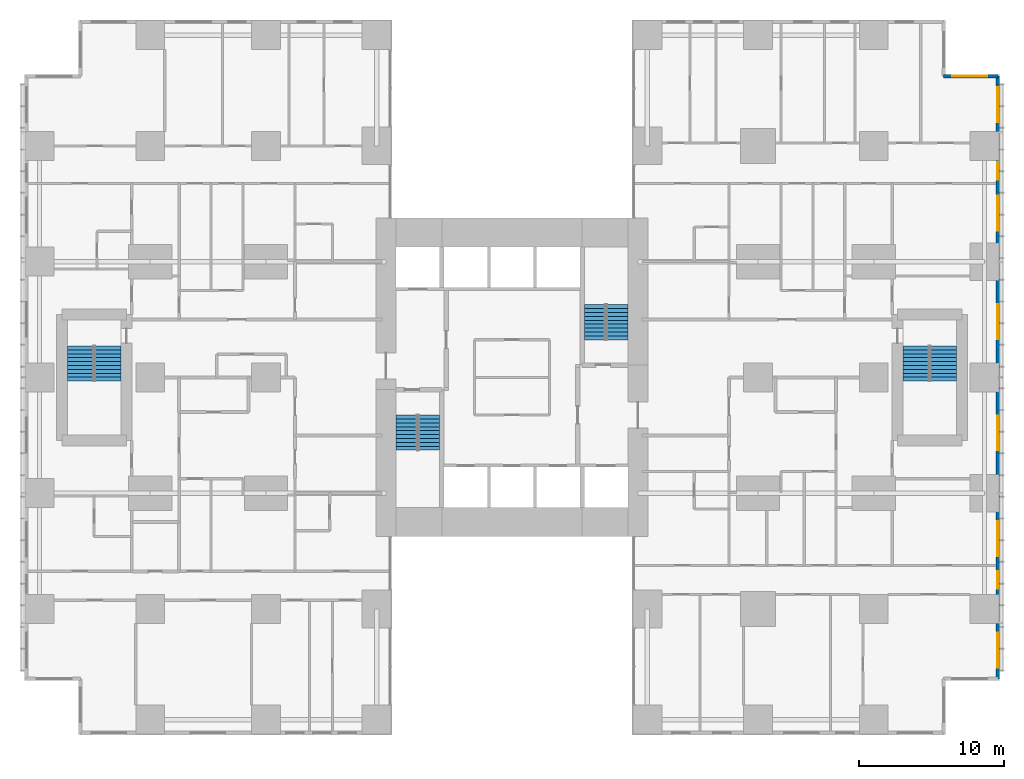
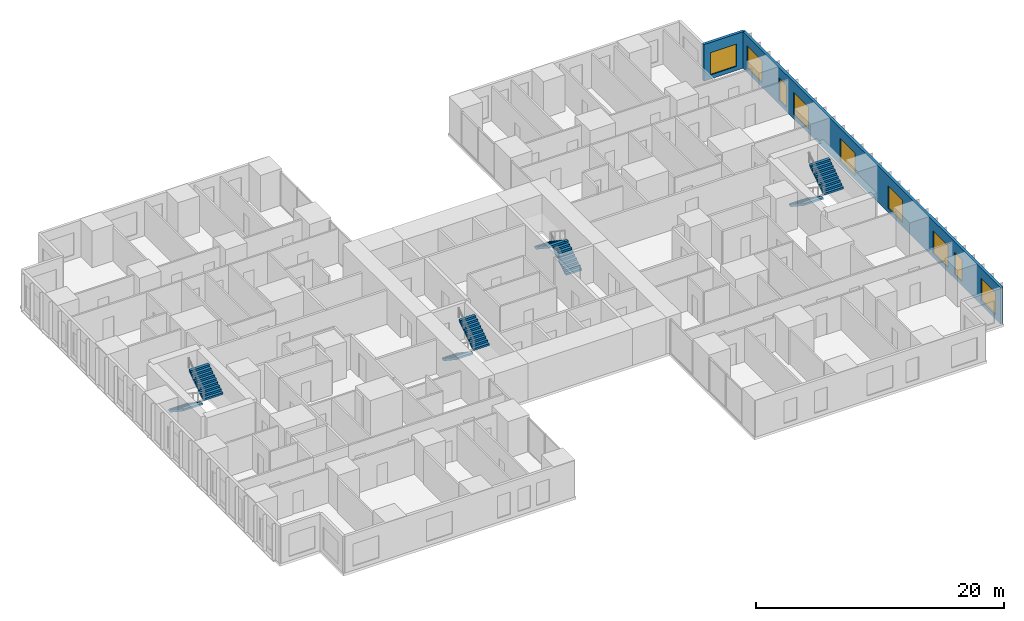
# One storey, part 19 of 20: 9 windows, 8 stair flights, 2 walls, 9 openings, 4 elements without a shape of their own.
"""IFC4 building model written with IfcOpenShell, lengths in metres."""

import ifcopenshell
import ifcopenshell.guid

model = None  # the IFC model being written
_history = None  # IfcOwnerHistory: only IFC2X3 demands one
_inside = {}  # id of a spatial element -> (the spatial element, [elements in it])
_under = {}  # id of a project, library or spatial element -> (it, [spatial elements below it])
_declared = {}  # id of a project -> (the project, [libraries it declares])
_typed = {}  # id of a type object -> (the type object, [elements of that type])
_made_of = {}  # id of a material, layer set ... -> (it, [elements and type objects made of it])


def new_model(schema):
    """Start an empty IFC model of exactly this schema.

    Asked for "IFC4X3", IfcOpenShell would pick the latest addendum, in which some entities
    have other attributes; the version numbers below select the first issue.
    IFC2X3 requires an IfcOwnerHistory on every rooted entity: one is made here for all.
    """
    global model, _history
    if schema == "IFC4X3":
        model = ifcopenshell.file(schema_version=(4, 3, 0, 0))
    else:
        model = ifcopenshell.file(schema=schema)
    _inside.clear()
    _under.clear()
    _declared.clear()
    _typed.clear()
    _made_of.clear()
    _history = None
    if model.schema == "IFC2X3":
        org = make("IfcOrganization", Name="unknown")
        user = make(
            "IfcPersonAndOrganization",
            ThePerson=make("IfcPerson", FamilyName="unknown"),
            TheOrganization=org,
        )
        app = make(
            "IfcApplication",
            ApplicationDeveloper=org,
            Version="unknown",
            ApplicationFullName="unknown",
            ApplicationIdentifier="unknown",
        )
        _history = make(
            "IfcOwnerHistory",
            OwningUser=user,
            OwningApplication=app,
            ChangeAction="ADDED",
            CreationDate=0,
        )
    return model


def make(cls, **values):
    """One entity of the class cls with the attributes given. An attribute that is None is left unset."""
    return model.create_entity(
        cls, **{name: value for name, value in values.items() if value is not None}
    )


def rooted(cls, **values):
    """An entity with a GlobalId (a new one), such as an element, a storey or a relation."""
    return make(cls, GlobalId=ifcopenshell.guid.new(), OwnerHistory=_history, **values)


def si_unit(unit_type, name, prefix=None):
    """IfcSIUnit, for example si_unit("LENGTHUNIT", "METRE", prefix="MILLI")."""
    return make("IfcSIUnit", UnitType=unit_type, Prefix=prefix, Name=name)


def assignment(units):
    """IfcUnitAssignment: the units of a project."""
    return None if units is None else make("IfcUnitAssignment", Units=units)


def point(xyz):
    """IfcCartesianPoint."""
    return None if xyz is None else make("IfcCartesianPoint", Coordinates=xyz)


def direction(xyz):
    """IfcDirection."""
    return None if xyz is None else make("IfcDirection", DirectionRatios=xyz)


def frame(location, z_axis=None, x_axis=None):
    """IfcAxis2Placement3D, a coordinate frame: its origin and axes. An axis left out is left unset."""
    return make(
        "IfcAxis2Placement3D",
        Location=point(location),
        Axis=direction(z_axis),
        RefDirection=direction(x_axis),
    )


def frame_2d(location, x_axis=None):
    """IfcAxis2Placement2D, a coordinate frame in the plane: its origin and x axis."""
    return make(
        "IfcAxis2Placement2D", Location=point(location), RefDirection=direction(x_axis)
    )


def origin():
    """The frame at (0, 0, 0) with its axes left unset."""
    return frame((0.0, 0.0, 0.0))


def place(relative_to, where):
    """IfcLocalPlacement: puts the frame where relative to a parent placement (None: the world)."""
    return make(
        "IfcLocalPlacement", PlacementRelTo=relative_to, RelativePlacement=where
    )


def context(
    kind, dimensions, precision=None, world=None, true_north=None, identifier=None
):
    """IfcGeometricRepresentationContext, for example the 3D "Model" context."""
    return make(
        "IfcGeometricRepresentationContext",
        ContextIdentifier=identifier,
        ContextType=kind,
        CoordinateSpaceDimension=dimensions,
        Precision=precision,
        WorldCoordinateSystem=world,
        TrueNorth=true_north,
    )


def subcontext(parent, identifier, kind, view, scale=None):
    """IfcGeometricRepresentationSubContext, for example "Body" below "Model"."""
    return make(
        "IfcGeometricRepresentationSubContext",
        ContextIdentifier=identifier,
        ContextType=kind,
        ParentContext=parent,
        TargetScale=scale,
        TargetView=view,
    )


def project(units=None, contexts=None):
    """IfcProject with its units and contexts."""
    return rooted(
        "IfcProject",
        Name="project",
        RepresentationContexts=contexts,
        UnitsInContext=assignment(units),
    )


def spatial(cls, under=None, at=None, **own):
    """A site, building, storey or space (cls), placed at a placement, below another one or the project."""
    s = rooted(cls, ObjectPlacement=at, **own)
    if under is not None:
        _under.setdefault(under.id(), (under, []))[1].append(s)
    return s


def polyline(points):
    """IfcPolyline through the points."""
    return make("IfcPolyline", Points=[point(p) for p in points])


def profile(cls, at=None, kind="AREA", **sizes):
    """A parametric profile (cls). Its sizes go by their IFC names, for example OverallWidth=200.0."""
    return make(cls, ProfileType=kind, Position=at, **sizes)


def rectangle(**sizes):
    """IfcRectangleProfileDef."""
    return profile("IfcRectangleProfileDef", **sizes)


def outline(outer, holes=None, kind="AREA"):
    """IfcArbitraryClosedProfileDef: a profile drawn as a closed curve; with holes, ...WithVoids."""
    if holes is None:
        return make("IfcArbitraryClosedProfileDef", ProfileType=kind, OuterCurve=outer)
    return make(
        "IfcArbitraryProfileDefWithVoids",
        ProfileType=kind,
        OuterCurve=outer,
        InnerCurves=holes,
    )


def extrude(swept, where, along, depth):
    """IfcExtrudedAreaSolid: the profile swept, set in the frame where, extruded along a direction by depth."""
    return make(
        "IfcExtrudedAreaSolid",
        SweptArea=swept,
        Position=where,
        ExtrudedDirection=direction(along),
        Depth=depth,
    )


def shape(context_of_items, identifier, shape_type, items):
    """IfcShapeRepresentation: the items that make up one representation, for example the "Body"."""
    return make(
        "IfcShapeRepresentation",
        ContextOfItems=context_of_items,
        RepresentationIdentifier=identifier,
        RepresentationType=shape_type,
        Items=items,
    )


def material(Name=None, Category=None):
    """IfcMaterial."""
    return make("IfcMaterial", Name=Name, Category=Category)


def layer(
    of_material, thickness, ventilated=None, Name=None, Category=None, Priority=None
):
    """IfcMaterialLayer: one layer of a wall or slab, of a material (None: an air gap)."""
    return make(
        "IfcMaterialLayer",
        Material=of_material,
        LayerThickness=thickness,
        IsVentilated=ventilated,
        Name=Name,
        Category=Category,
        Priority=Priority,
    )


def layer_set(layers, Name=None):
    """IfcMaterialLayerSet."""
    return make("IfcMaterialLayerSet", MaterialLayers=layers, LayerSetName=Name)


def made_of(thing, what):
    """Note that an element or type object is made of a material, layer set ...; save() writes the relation."""
    if what is not None:
        _made_of.setdefault(what.id(), (what, []))[1].append(thing)
    return thing


def type_object(cls, material=None, **own):
    """A type object (cls), such as IfcWallType, which elements share."""
    return made_of(rooted(cls, **own), material)


def element(
    cls,
    number,
    at=None,
    inside=None,
    cuts=None,
    type_object=None,
    material=None,
    context=None,
    identifier="Body",
    shape_type=None,
    held_by="IfcProductDefinitionShape",
    body=None,
    shapes=None,
    **own,
):
    """One element of the class cls, such as IfcWall. Its Tag is "e" and its number.

    at: its placement. inside: the storey or other place that contains it. cuts: it is an
    opening in that element (IfcRelVoidsElement). A single representation is given by context,
    identifier, shape_type and body (its items); several are given by shapes. held_by: the class
    of the entity that holds the representations. save() writes the other relations.
    """
    e = rooted(cls, Tag="e%d" % number, ObjectPlacement=at, **own)
    if body is not None:
        shapes = [shape(context, identifier, shape_type, body)]
    if shapes is not None:
        e.Representation = make(held_by, Representations=shapes)
    if inside is not None:
        _inside.setdefault(inside.id(), (inside, []))[1].append(e)
    if cuts is not None:
        rooted(
            "IfcRelVoidsElement", RelatingBuildingElement=cuts, RelatedOpeningElement=e
        )
    if type_object is not None:
        _typed.setdefault(type_object.id(), (type_object, []))[1].append(e)
    return made_of(e, material)


def fill(opening, filler):
    """IfcRelFillsElement: the door or window that sits in an opening."""
    return rooted(
        "IfcRelFillsElement",
        RelatingOpeningElement=opening,
        RelatedBuildingElement=filler,
    )


def aggregate(whole, parts):
    """IfcRelAggregates: a whole, such as a stair, and the parts it consists of."""
    return rooted("IfcRelAggregates", RelatingObject=whole, RelatedObjects=parts)


def save(model, path):
    """Write the relations noted so far, then the file.

    IfcRelAggregates (storeys below a building ...), IfcRelContainedInSpatialStructure (elements
    in a storey), IfcRelDefinesByType, IfcRelAssociatesMaterial and IfcRelDeclares: one each for
    every whole, place, type object, material and project.
    """
    for whole, parts in _under.values():
        aggregate(whole, parts)
    for where, things in _inside.values():
        rooted(
            "IfcRelContainedInSpatialStructure",
            RelatedElements=things,
            RelatingStructure=where,
        )
    for kind, things in _typed.values():
        rooted("IfcRelDefinesByType", RelatedObjects=things, RelatingType=kind)
    for what, things in _made_of.values():
        rooted("IfcRelAssociatesMaterial", RelatedObjects=things, RelatingMaterial=what)
    for by, libraries in _declared.values():
        rooted("IfcRelDeclares", RelatingContext=by, RelatedDefinitions=libraries)
    model.write(path)


model = new_model("IFC4")

# Units and contexts
model_context = context("Model", 3, precision=1e-05, world=origin(), true_north=direction((0.0, 1.0)))
body_context = subcontext(model_context, "Body", "Model", "MODEL_VIEW")
ifc_project = project(units=[si_unit("LENGTHUNIT", "METRE"), si_unit("AREAUNIT", "SQUARE_METRE"), si_unit("VOLUMEUNIT", "CUBIC_METRE"), si_unit("PLANEANGLEUNIT", "RADIAN"), si_unit("MASSUNIT", "GRAM", prefix="KILO")], contexts=[model_context])

# Site, building, storey
site_placement = place(None, origin())
site = spatial("IfcSite", under=ifc_project, at=site_placement, CompositionType="ELEMENT")
building_placement = place(site_placement, origin())
building = spatial("IfcBuilding", under=site, at=building_placement, Name="Cleftline Residences", CompositionType="ELEMENT")
storey_placement = place(building_placement, frame((0.0, 0.0, 157.39990234375)))
storey = spatial("IfcBuildingStorey", under=building, at=storey_placement, Name="L41", CompositionType="ELEMENT", Elevation=157.39990234375)

# Wall, openings, windows
ifc_material_1 = material(Name="Rendered reinforced concrete blockwork", Category="masonry")
ifc_layer = layer(ifc_material_1, 0.25)
ifc_layer_set = layer_set([ifc_layer], Name="EXTERNAL WALL 250")
wall_type = type_object("IfcWallType", Name="EXTERNAL WALL 250", PredefinedType="SOLIDWALL", material=ifc_layer_set)
wall_1_placement = place(storey_placement, frame((66.574951171875, 3.175048828125, 0.0), z_axis=(0.0, 0.0, 1.0), x_axis=(0.0, 1.0, 0.0)))
wall_1 = element("IfcWall", 1, at=wall_1_placement, inside=storey, type_object=wall_type, Name="External wall", PredefinedType="SOLIDWALL", context=body_context, shape_type="SweptSolid", body=[
    extrude(rectangle(XDim=41.64990234375, YDim=0.25, at=frame_2d((20.824951171875, 0.0))), origin(), (0.0, 0.0, 1.0), 3.60009765625),
])
opening_1_placement = place(wall_1_placement, frame((0.77490234375, 0.0, 0.39990234375)))
opening_1 = element("IfcOpeningElement", 2, at=opening_1_placement, cuts=wall_1, Name="Opening W12", PredefinedType="OPENING", context=body_context, shape_type="SweptSolid", body=[
    extrude(rectangle(XDim=2.39990234375, YDim=2.199951171875, at=frame_2d((1.199951171875, 1.10009765625))), frame((0.0, 0.135009765625, 0.0), z_axis=(0.0, -1.0, 0.0), x_axis=(1.0, 0.0, 0.0)), (0.0, 0.0, 1.0), 0.27001953125),
])
opening_2_placement = place(wall_1_placement, frame((6.22509765625, 0.0, 0.39990234375)))
opening_2 = element("IfcOpeningElement", 3, at=opening_2_placement, cuts=wall_1, Name="Opening W11", PredefinedType="OPENING", context=body_context, shape_type="SweptSolid", body=[
    extrude(rectangle(XDim=1.199951171875, YDim=2.199951171875, at=frame_2d((0.60009765625, 1.10009765625))), frame((0.0, 0.135009765625, 0.0), z_axis=(0.0, -1.0, 0.0), x_axis=(1.0, 0.0, 0.0)), (0.0, 0.0, 1.0), 0.27001953125),
])
opening_3_placement = place(wall_1_placement, frame((8.47509765625, 0.0, 0.39990234375)))
opening_3 = element("IfcOpeningElement", 4, at=opening_3_placement, cuts=wall_1, Name="Opening W12", PredefinedType="OPENING", context=body_context, shape_type="SweptSolid", body=[
    extrude(rectangle(XDim=2.39990234375, YDim=2.199951171875, at=frame_2d((1.199951171875, 1.10009765625))), frame((0.0, 0.135009765625, 0.0), z_axis=(0.0, -1.0, 0.0), x_axis=(1.0, 0.0, 0.0)), (0.0, 0.0, 1.0), 0.27001953125),
])
opening_4_placement = place(wall_1_placement, frame((15.77490234375, 0.0, 0.39990234375)))
opening_4 = element("IfcOpeningElement", 5, at=opening_4_placement, cuts=wall_1, Name="Opening W12", PredefinedType="OPENING", context=body_context, shape_type="SweptSolid", body=[
    extrude(rectangle(XDim=2.39990234375, YDim=2.199951171875, at=frame_2d((1.199951171875, 1.10009765625))), frame((0.0, 0.135009765625, 0.0), z_axis=(0.0, -1.0, 0.0), x_axis=(1.0, 0.0, 0.0)), (0.0, 0.0, 1.0), 0.27001953125),
])
opening_5_placement = place(wall_1_placement, frame((23.47509765625, 0.0, 0.39990234375)))
opening_5 = element("IfcOpeningElement", 6, at=opening_5_placement, cuts=wall_1, Name="Opening W12", PredefinedType="OPENING", context=body_context, shape_type="SweptSolid", body=[
    extrude(rectangle(XDim=2.39990234375, YDim=2.199951171875, at=frame_2d((1.199951171875, 1.10009765625))), frame((0.0, 0.135009765625, 0.0), z_axis=(0.0, -1.0, 0.0), x_axis=(1.0, 0.0, 0.0)), (0.0, 0.0, 1.0), 0.27001953125),
])
opening_6_placement = place(wall_1_placement, frame((30.97509765625, 0.0, 0.39990234375)))
opening_6 = element("IfcOpeningElement", 7, at=opening_6_placement, cuts=wall_1, Name="Opening W12", PredefinedType="OPENING", context=body_context, shape_type="SweptSolid", body=[
    extrude(rectangle(XDim=2.39990234375, YDim=2.199951171875, at=frame_2d((1.199951171875, 1.10009765625))), frame((0.0, 0.135009765625, 0.0), z_axis=(0.0, -1.0, 0.0), x_axis=(1.0, 0.0, 0.0)), (0.0, 0.0, 1.0), 0.27001953125),
])
opening_7_placement = place(wall_1_placement, frame((34.5, 0.0, 0.39990234375)))
opening_7 = element("IfcOpeningElement", 8, at=opening_7_placement, cuts=wall_1, Name="Opening W11", PredefinedType="OPENING", context=body_context, shape_type="SweptSolid", body=[
    extrude(rectangle(XDim=1.199951171875, YDim=2.199951171875, at=frame_2d((0.60009765625, 1.10009765625))), frame((0.0, 0.135009765625, 0.0), z_axis=(0.0, -1.0, 0.0), x_axis=(1.0, 0.0, 0.0)), (0.0, 0.0, 1.0), 0.27001953125),
])
opening_8_placement = place(wall_1_placement, frame((38.47509765625, 0.0, 0.39990234375)))
opening_8 = element("IfcOpeningElement", 9, at=opening_8_placement, cuts=wall_1, Name="Opening W12", PredefinedType="OPENING", context=body_context, shape_type="SweptSolid", body=[
    extrude(rectangle(XDim=2.39990234375, YDim=2.199951171875, at=frame_2d((1.199951171875, 1.10009765625))), frame((0.0, 0.135009765625, 0.0), z_axis=(0.0, -1.0, 0.0), x_axis=(1.0, 0.0, 0.0)), (0.0, 0.0, 1.0), 0.27001953125),
])
ifc_material_2 = material(Name="Aluminium frame, clear double glazing", Category="aluminium")
window_type_1 = type_object("IfcWindowType", Name="WINDOW 1200X2200", PartitioningType="DOUBLE_PANEL_VERTICAL", PredefinedType="WINDOW", material=ifc_material_2)
window_1_placement = place(opening_2_placement, origin())
window_1 = element("IfcWindow", 10, at=window_1_placement, inside=storey, type_object=window_type_1, Name="Window", OverallHeight=2.199951171875, OverallWidth=1.199951171875, PartitioningType="SINGLE_PANEL", PredefinedType="WINDOW", context=body_context, shape_type="SweptSolid", body=[
    extrude(rectangle(XDim=1.199951171875, YDim=2.199951171875, at=frame_2d((0.60009765625, 1.10009765625))), frame((0.0, 0.030029296875, 0.0), z_axis=(0.0, -1.0, 0.0), x_axis=(1.0, 0.0, 0.0)), (0.0, 0.0, 1.0), 0.06005859375),
])
fill(opening_2, window_1)
window_2_placement = place(opening_7_placement, origin())
window_2 = element("IfcWindow", 11, at=window_2_placement, inside=storey, type_object=window_type_1, Name="Window", OverallHeight=2.199951171875, OverallWidth=1.199951171875, PartitioningType="SINGLE_PANEL", PredefinedType="WINDOW", context=body_context, shape_type="SweptSolid", body=[
    extrude(rectangle(XDim=1.199951171875, YDim=2.199951171875, at=frame_2d((0.60009765625, 1.10009765625))), frame((0.0, 0.030029296875, 0.0), z_axis=(0.0, -1.0, 0.0), x_axis=(1.0, 0.0, 0.0)), (0.0, 0.0, 1.0), 0.06005859375),
])
fill(opening_7, window_2)
ifc_material_3 = material(Name="Aluminium frame, clear double glazing", Category="aluminium")
window_type_2 = type_object("IfcWindowType", Name="WINDOW 2400X2200", PartitioningType="DOUBLE_PANEL_VERTICAL", PredefinedType="WINDOW", material=ifc_material_3)
window_3_placement = place(opening_1_placement, origin())
window_3 = element("IfcWindow", 12, at=window_3_placement, inside=storey, type_object=window_type_2, Name="Window", OverallHeight=2.199951171875, OverallWidth=2.39990234375, PartitioningType="SINGLE_PANEL", PredefinedType="WINDOW", context=body_context, shape_type="SweptSolid", body=[
    extrude(rectangle(XDim=2.39990234375, YDim=2.199951171875, at=frame_2d((1.199951171875, 1.10009765625))), frame((0.0, 0.030029296875, 0.0), z_axis=(0.0, -1.0, 0.0), x_axis=(1.0, 0.0, 0.0)), (0.0, 0.0, 1.0), 0.06005859375),
])
fill(opening_1, window_3)
window_4_placement = place(opening_3_placement, origin())
window_4 = element("IfcWindow", 13, at=window_4_placement, inside=storey, type_object=window_type_2, Name="Window", OverallHeight=2.199951171875, OverallWidth=2.39990234375, PartitioningType="SINGLE_PANEL", PredefinedType="WINDOW", context=body_context, shape_type="SweptSolid", body=[
    extrude(rectangle(XDim=2.39990234375, YDim=2.199951171875, at=frame_2d((1.199951171875, 1.10009765625))), frame((0.0, 0.030029296875, 0.0), z_axis=(0.0, -1.0, 0.0), x_axis=(1.0, 0.0, 0.0)), (0.0, 0.0, 1.0), 0.06005859375),
])
fill(opening_3, window_4)
window_5_placement = place(opening_4_placement, origin())
window_5 = element("IfcWindow", 14, at=window_5_placement, inside=storey, type_object=window_type_2, Name="Window", OverallHeight=2.199951171875, OverallWidth=2.39990234375, PartitioningType="SINGLE_PANEL", PredefinedType="WINDOW", context=body_context, shape_type="SweptSolid", body=[
    extrude(rectangle(XDim=2.39990234375, YDim=2.199951171875, at=frame_2d((1.199951171875, 1.10009765625))), frame((0.0, 0.030029296875, 0.0), z_axis=(0.0, -1.0, 0.0), x_axis=(1.0, 0.0, 0.0)), (0.0, 0.0, 1.0), 0.06005859375),
])
fill(opening_4, window_5)
window_6_placement = place(opening_5_placement, origin())
window_6 = element("IfcWindow", 15, at=window_6_placement, inside=storey, type_object=window_type_2, Name="Window", OverallHeight=2.199951171875, OverallWidth=2.39990234375, PartitioningType="SINGLE_PANEL", PredefinedType="WINDOW", context=body_context, shape_type="SweptSolid", body=[
    extrude(rectangle(XDim=2.39990234375, YDim=2.199951171875, at=frame_2d((1.199951171875, 1.10009765625))), frame((0.0, 0.030029296875, 0.0), z_axis=(0.0, -1.0, 0.0), x_axis=(1.0, 0.0, 0.0)), (0.0, 0.0, 1.0), 0.06005859375),
])
fill(opening_5, window_6)
window_7_placement = place(opening_6_placement, origin())
window_7 = element("IfcWindow", 16, at=window_7_placement, inside=storey, type_object=window_type_2, Name="Window", OverallHeight=2.199951171875, OverallWidth=2.39990234375, PartitioningType="SINGLE_PANEL", PredefinedType="WINDOW", context=body_context, shape_type="SweptSolid", body=[
    extrude(rectangle(XDim=2.39990234375, YDim=2.199951171875, at=frame_2d((1.199951171875, 1.10009765625))), frame((0.0, 0.030029296875, 0.0), z_axis=(0.0, -1.0, 0.0), x_axis=(1.0, 0.0, 0.0)), (0.0, 0.0, 1.0), 0.06005859375),
])
fill(opening_6, window_7)
window_8_placement = place(opening_8_placement, origin())
window_8 = element("IfcWindow", 17, at=window_8_placement, inside=storey, type_object=window_type_2, Name="Window", OverallHeight=2.199951171875, OverallWidth=2.39990234375, PartitioningType="SINGLE_PANEL", PredefinedType="WINDOW", context=body_context, shape_type="SweptSolid", body=[
    extrude(rectangle(XDim=2.39990234375, YDim=2.199951171875, at=frame_2d((1.199951171875, 1.10009765625))), frame((0.0, 0.030029296875, 0.0), z_axis=(0.0, -1.0, 0.0), x_axis=(1.0, 0.0, 0.0)), (0.0, 0.0, 1.0), 0.06005859375),
])
fill(opening_8, window_8)

# Wall, opening, window
wall_2_placement = place(storey_placement, frame((66.574951171875, 44.824951171875, 0.0), z_axis=(0.0, 0.0, 1.0), x_axis=(-1.0, 0.0, 0.0)))
wall_2 = element("IfcWall", 18, at=wall_2_placement, inside=storey, type_object=wall_type, Name="External wall", PredefinedType="SOLIDWALL", context=body_context, shape_type="SweptSolid", body=[
    extrude(rectangle(XDim=3.75, YDim=0.25, at=frame_2d((1.875, 0.0))), origin(), (0.0, 0.0, 1.0), 3.60009765625),
])
opening_9_placement = place(wall_2_placement, frame((0.737548828125, 0.0, 0.39990234375)))
opening_9 = element("IfcOpeningElement", 19, at=opening_9_placement, cuts=wall_2, Name="Opening W12", PredefinedType="OPENING", context=body_context, shape_type="SweptSolid", body=[
    extrude(rectangle(XDim=2.39990234375, YDim=2.199951171875, at=frame_2d((1.199951171875, 1.10009765625))), frame((0.0, 0.135009765625, 0.0), z_axis=(0.0, -1.0, 0.0), x_axis=(1.0, 0.0, 0.0)), (0.0, 0.0, 1.0), 0.27001953125),
])
window_9_placement = place(opening_9_placement, origin())
window_9 = element("IfcWindow", 20, at=window_9_placement, inside=storey, type_object=window_type_2, Name="Window", OverallHeight=2.199951171875, OverallWidth=2.39990234375, PartitioningType="SINGLE_PANEL", PredefinedType="WINDOW", context=body_context, shape_type="SweptSolid", body=[
    extrude(rectangle(XDim=2.39990234375, YDim=2.199951171875, at=frame_2d((1.199951171875, 1.10009765625))), frame((0.0, 0.030029296875, 0.0), z_axis=(0.0, -1.0, 0.0), x_axis=(1.0, 0.0, 0.0)), (0.0, 0.0, 1.0), 0.06005859375),
])
fill(opening_9, window_9)

# Stair, stair flights
ifc_material_4 = material(Name="Concrete B45, stone treads", Category="masonry")
stair_type_1 = type_object("IfcStairType", Name="STAIR A 1450 WIDE 180 RISER", PredefinedType="HALF_TURN_STAIR", material=ifc_material_4)
stair_1_placement = place(storey_placement, origin())
stair_1 = element("IfcStair", 21, at=stair_1_placement, inside=storey, type_object=stair_type_1, Name="Stair A L41", PredefinedType="HALF_TURN_STAIR")
ifc_material_5 = material(Name="Concrete B45", Category="concrete")
stair_flight_type_1 = type_object("IfcStairFlightType", Name="STAIR A FLIGHT 1450X180", PredefinedType="STRAIGHT", material=ifc_material_5)
stair_flight_1_placement = place(storey_placement, frame((25.72509765625, 21.39990234375, 0.0), z_axis=(0.0, 0.0, 1.0), x_axis=(0.0, -1.0, 0.0)))
stair_flight_1 = element("IfcStairFlight", 22, at=stair_flight_1_placement, type_object=stair_flight_type_1, Name="ST-A flight 1", NumberOfRisers=10, NumberOfTreads=9, PredefinedType="STRAIGHT", RiserHeight=0.18, TreadLength=0.27, context=body_context, shape_type="SweptSolid", body=[
    extrude(outline(polyline([(0.0, 0.0), (0.0, 0.013916015625), (0.0, 0.027587890625), (0.0, 0.04150390625), (0.0, 0.055419921875), (0.0, 0.0693359375), (0.0, 0.0830078125), (0.0, 0.096923828125), (0.0, 0.11083984375), (0.0, 0.12451171875), (0.0, 0.138427734375), (0.0, 0.15234375), (0.0, 0.166259765625), (0.0, 0.179931640625), (0.27001953125, 0.179931640625), (0.27001953125, 0.360107421875), (0.5400390625, 0.360107421875), (0.5400390625, 0.5400390625), (0.81005859375, 0.5400390625), (0.81005859375, 0.719970703125), (1.080078125, 0.719970703125), (1.080078125, 0.89990234375), (1.35009765625, 0.89990234375), (1.35009765625, 1.080078125), (1.6201171875, 1.080078125), (1.6201171875, 1.260009765625), (1.889892578125, 1.260009765625), (1.889892578125, 1.43994140625), (2.159912109375, 1.43994140625), (2.159912109375, 1.6201171875), (2.429931640625, 1.6201171875), (2.429931640625, 1.800048828125), (2.429931640625, 1.772216796875), (2.429931640625, 1.74462890625), (2.429931640625, 1.716796875), (2.429931640625, 1.689208984375), (2.429931640625, 1.661376953125), (2.429931640625, 1.6337890625), (2.429931640625, 1.60595703125), (2.429931640625, 1.578369140625), (2.429931640625, 1.550537109375), (2.429931640625, 1.52294921875), (2.429931640625, 1.495361328125), (2.429931640625, 1.467529296875), (2.429931640625, 1.43994140625), (0.270263671875, 0.0), (0.0, 0.0)])), frame((0.0, 0.72509765625, 0.0), z_axis=(0.0, -1.0, 0.0), x_axis=(1.0, 0.0, 0.0)), (0.0, 0.0, 1.0), 1.449951171875),
])
stair_flight_2_placement = place(storey_placement, frame((27.27490234375, 18.969970703125, 1.800048828125), z_axis=(0.0, 0.0, 1.0), x_axis=(0.0, 1.0, 0.0)))
stair_flight_2 = element("IfcStairFlight", 23, at=stair_flight_2_placement, type_object=stair_flight_type_1, Name="ST-A flight 2", NumberOfRisers=10, NumberOfTreads=9, PredefinedType="STRAIGHT", RiserHeight=0.18, TreadLength=0.27, context=body_context, shape_type="SweptSolid", body=[
    extrude(outline(polyline([(0.0, 0.0), (0.0, 0.013916015625), (0.0, 0.027587890625), (0.0, 0.04150390625), (0.0, 0.055419921875), (0.0, 0.0693359375), (0.0, 0.0830078125), (0.0, 0.096923828125), (0.0, 0.11083984375), (0.0, 0.12451171875), (0.0, 0.138427734375), (0.0, 0.15234375), (0.0, 0.166259765625), (0.0, 0.179931640625), (0.27001953125, 0.179931640625), (0.27001953125, 0.360107421875), (0.5400390625, 0.360107421875), (0.5400390625, 0.5400390625), (0.81005859375, 0.5400390625), (0.81005859375, 0.719970703125), (1.080078125, 0.719970703125), (1.080078125, 0.89990234375), (1.35009765625, 0.89990234375), (1.35009765625, 1.080078125), (1.6201171875, 1.080078125), (1.6201171875, 1.260009765625), (1.889892578125, 1.260009765625), (1.889892578125, 1.43994140625), (2.159912109375, 1.43994140625), (2.159912109375, 1.6201171875), (2.429931640625, 1.6201171875), (2.429931640625, 1.800048828125), (2.429931640625, 1.772216796875), (2.429931640625, 1.74462890625), (2.429931640625, 1.716796875), (2.429931640625, 1.689208984375), (2.429931640625, 1.661376953125), (2.429931640625, 1.6337890625), (2.429931640625, 1.60595703125), (2.429931640625, 1.578369140625), (2.429931640625, 1.550537109375), (2.429931640625, 1.52294921875), (2.429931640625, 1.495361328125), (2.429931640625, 1.467529296875), (2.429931640625, 1.43994140625), (0.270263671875, 0.0), (0.0, 0.0)])), frame((0.0, 0.72509765625, 0.0), z_axis=(0.0, -1.0, 0.0), x_axis=(1.0, 0.0, 0.0)), (0.0, 0.0, 1.0), 1.449951171875),
])
aggregate(stair_1, [stair_flight_1, stair_flight_2])

ifc_material_6 = material(Name="Concrete B45, stone treads", Category="masonry")
stair_type_2 = type_object("IfcStairType", Name="STAIR B 1450 WIDE 180 RISER", PredefinedType="HALF_TURN_STAIR", material=ifc_material_6)
stair_2_placement = place(storey_placement, origin())
stair_2 = element("IfcStair", 24, at=stair_2_placement, inside=storey, type_object=stair_type_2, Name="Stair B L41", PredefinedType="HALF_TURN_STAIR")
ifc_material_7 = material(Name="Concrete B45", Category="concrete")
stair_flight_type_2 = type_object("IfcStairFlightType", Name="STAIR B FLIGHT 1450X180", PredefinedType="STRAIGHT", material=ifc_material_7)
stair_flight_3_placement = place(storey_placement, frame((40.27490234375, 26.60009765625, 0.0), z_axis=(0.0, 0.0, 1.0), x_axis=(0.0, 1.0, 0.0)))
stair_flight_3 = element("IfcStairFlight", 25, at=stair_flight_3_placement, type_object=stair_flight_type_2, Name="ST-B flight 1", NumberOfRisers=10, NumberOfTreads=9, PredefinedType="STRAIGHT", RiserHeight=0.18, TreadLength=0.27, context=body_context, shape_type="SweptSolid", body=[
    extrude(outline(polyline([(0.0, 0.0), (0.0, 0.013916015625), (0.0, 0.027587890625), (0.0, 0.04150390625), (0.0, 0.055419921875), (0.0, 0.0693359375), (0.0, 0.0830078125), (0.0, 0.096923828125), (0.0, 0.11083984375), (0.0, 0.12451171875), (0.0, 0.138427734375), (0.0, 0.15234375), (0.0, 0.166259765625), (0.0, 0.179931640625), (0.27001953125, 0.179931640625), (0.27001953125, 0.360107421875), (0.5400390625, 0.360107421875), (0.5400390625, 0.5400390625), (0.81005859375, 0.5400390625), (0.81005859375, 0.719970703125), (1.080078125, 0.719970703125), (1.080078125, 0.89990234375), (1.35009765625, 0.89990234375), (1.35009765625, 1.080078125), (1.6201171875, 1.080078125), (1.6201171875, 1.260009765625), (1.889892578125, 1.260009765625), (1.889892578125, 1.43994140625), (2.159912109375, 1.43994140625), (2.159912109375, 1.6201171875), (2.429931640625, 1.6201171875), (2.429931640625, 1.800048828125), (2.429931640625, 1.772216796875), (2.429931640625, 1.74462890625), (2.429931640625, 1.716796875), (2.429931640625, 1.689208984375), (2.429931640625, 1.661376953125), (2.429931640625, 1.6337890625), (2.429931640625, 1.60595703125), (2.429931640625, 1.578369140625), (2.429931640625, 1.550537109375), (2.429931640625, 1.52294921875), (2.429931640625, 1.495361328125), (2.429931640625, 1.467529296875), (2.429931640625, 1.43994140625), (0.270263671875, 0.0), (0.0, 0.0)])), frame((0.0, 0.72509765625, 0.0), z_axis=(0.0, -1.0, 0.0), x_axis=(1.0, 0.0, 0.0)), (0.0, 0.0, 1.0), 1.449951171875),
])
stair_flight_4_placement = place(storey_placement, frame((38.72509765625, 29.030029296875, 1.800048828125), z_axis=(0.0, 0.0, 1.0), x_axis=(0.0, -1.0, 0.0)))
stair_flight_4 = element("IfcStairFlight", 26, at=stair_flight_4_placement, type_object=stair_flight_type_2, Name="ST-B flight 2", NumberOfRisers=10, NumberOfTreads=9, PredefinedType="STRAIGHT", RiserHeight=0.18, TreadLength=0.27, context=body_context, shape_type="SweptSolid", body=[
    extrude(outline(polyline([(0.0, 0.0), (0.0, 0.013916015625), (0.0, 0.027587890625), (0.0, 0.04150390625), (0.0, 0.055419921875), (0.0, 0.0693359375), (0.0, 0.0830078125), (0.0, 0.096923828125), (0.0, 0.11083984375), (0.0, 0.12451171875), (0.0, 0.138427734375), (0.0, 0.15234375), (0.0, 0.166259765625), (0.0, 0.179931640625), (0.27001953125, 0.179931640625), (0.27001953125, 0.360107421875), (0.5400390625, 0.360107421875), (0.5400390625, 0.5400390625), (0.81005859375, 0.5400390625), (0.81005859375, 0.719970703125), (1.080078125, 0.719970703125), (1.080078125, 0.89990234375), (1.35009765625, 0.89990234375), (1.35009765625, 1.080078125), (1.6201171875, 1.080078125), (1.6201171875, 1.260009765625), (1.889892578125, 1.260009765625), (1.889892578125, 1.43994140625), (2.159912109375, 1.43994140625), (2.159912109375, 1.6201171875), (2.429931640625, 1.6201171875), (2.429931640625, 1.800048828125), (2.429931640625, 1.772216796875), (2.429931640625, 1.74462890625), (2.429931640625, 1.716796875), (2.429931640625, 1.689208984375), (2.429931640625, 1.661376953125), (2.429931640625, 1.6337890625), (2.429931640625, 1.60595703125), (2.429931640625, 1.578369140625), (2.429931640625, 1.550537109375), (2.429931640625, 1.52294921875), (2.429931640625, 1.495361328125), (2.429931640625, 1.467529296875), (2.429931640625, 1.43994140625), (0.270263671875, 0.0), (0.0, 0.0)])), frame((0.0, 0.72509765625, 0.0), z_axis=(0.0, -1.0, 0.0), x_axis=(1.0, 0.0, 0.0)), (0.0, 0.0, 1.0), 1.449951171875),
])
aggregate(stair_2, [stair_flight_3, stair_flight_4])

ifc_material_8 = material(Name="Concrete B45, stone treads", Category="masonry")
stair_type_3 = type_object("IfcStairType", Name="STAIR E 1800 WIDE 180 RISER", PredefinedType="HALF_TURN_STAIR", material=ifc_material_8)
stair_3_placement = place(storey_placement, origin())
stair_3 = element("IfcStair", 27, at=stair_3_placement, inside=storey, type_object=stair_type_3, Name="Stair E L41", PredefinedType="HALF_TURN_STAIR")
ifc_material_9 = material(Name="Concrete B45", Category="concrete")
stair_flight_type_3 = type_object("IfcStairFlightType", Name="STAIR E FLIGHT 1800X180", PredefinedType="STRAIGHT", material=ifc_material_9)
stair_flight_5_placement = place(storey_placement, frame((60.925048828125, 26.175048828125, 0.0), z_axis=(0.0, 0.0, 1.0), x_axis=(0.0, -1.0, 0.0)))
stair_flight_5 = element("IfcStairFlight", 28, at=stair_flight_5_placement, type_object=stair_flight_type_3, Name="ST-E flight 1", NumberOfRisers=10, NumberOfTreads=9, PredefinedType="STRAIGHT", RiserHeight=0.18, TreadLength=0.27, context=body_context, shape_type="SweptSolid", body=[
    extrude(outline(polyline([(0.0, 0.0), (0.0, 0.013916015625), (0.0, 0.027587890625), (0.0, 0.04150390625), (0.0, 0.055419921875), (0.0, 0.0693359375), (0.0, 0.0830078125), (0.0, 0.096923828125), (0.0, 0.11083984375), (0.0, 0.12451171875), (0.0, 0.138427734375), (0.0, 0.15234375), (0.0, 0.166259765625), (0.0, 0.179931640625), (0.27001953125, 0.179931640625), (0.27001953125, 0.360107421875), (0.5400390625, 0.360107421875), (0.5400390625, 0.5400390625), (0.81005859375, 0.5400390625), (0.81005859375, 0.719970703125), (1.080078125, 0.719970703125), (1.080078125, 0.89990234375), (1.35009765625, 0.89990234375), (1.35009765625, 1.080078125), (1.6201171875, 1.080078125), (1.6201171875, 1.260009765625), (1.889892578125, 1.260009765625), (1.889892578125, 1.43994140625), (2.159912109375, 1.43994140625), (2.159912109375, 1.6201171875), (2.429931640625, 1.6201171875), (2.429931640625, 1.800048828125), (2.429931640625, 1.772216796875), (2.429931640625, 1.74462890625), (2.429931640625, 1.716796875), (2.429931640625, 1.689208984375), (2.429931640625, 1.661376953125), (2.429931640625, 1.6337890625), (2.429931640625, 1.60595703125), (2.429931640625, 1.578369140625), (2.429931640625, 1.550537109375), (2.429931640625, 1.52294921875), (2.429931640625, 1.495361328125), (2.429931640625, 1.467529296875), (2.429931640625, 1.43994140625), (0.270263671875, 0.0), (0.0, 0.0)])), frame((0.0, 0.89990234375, 0.0), z_axis=(0.0, -1.0, 0.0), x_axis=(1.0, 0.0, 0.0)), (0.0, 0.0, 1.0), 1.800048828125),
])
stair_flight_6_placement = place(storey_placement, frame((62.824951171875, 23.7451171875, 1.800048828125), z_axis=(0.0, 0.0, 1.0), x_axis=(0.0, 1.0, 0.0)))
stair_flight_6 = element("IfcStairFlight", 29, at=stair_flight_6_placement, type_object=stair_flight_type_3, Name="ST-E flight 2", NumberOfRisers=10, NumberOfTreads=9, PredefinedType="STRAIGHT", RiserHeight=0.18, TreadLength=0.27, context=body_context, shape_type="SweptSolid", body=[
    extrude(outline(polyline([(0.0, 0.0), (0.0, 0.013916015625), (0.0, 0.027587890625), (0.0, 0.04150390625), (0.0, 0.055419921875), (0.0, 0.0693359375), (0.0, 0.0830078125), (0.0, 0.096923828125), (0.0, 0.11083984375), (0.0, 0.12451171875), (0.0, 0.138427734375), (0.0, 0.15234375), (0.0, 0.166259765625), (0.0, 0.179931640625), (0.27001953125, 0.179931640625), (0.27001953125, 0.360107421875), (0.5400390625, 0.360107421875), (0.5400390625, 0.5400390625), (0.81005859375, 0.5400390625), (0.81005859375, 0.719970703125), (1.080078125, 0.719970703125), (1.080078125, 0.89990234375), (1.35009765625, 0.89990234375), (1.35009765625, 1.080078125), (1.6201171875, 1.080078125), (1.6201171875, 1.260009765625), (1.889892578125, 1.260009765625), (1.889892578125, 1.43994140625), (2.159912109375, 1.43994140625), (2.159912109375, 1.6201171875), (2.429931640625, 1.6201171875), (2.429931640625, 1.800048828125), (2.429931640625, 1.772216796875), (2.429931640625, 1.74462890625), (2.429931640625, 1.716796875), (2.429931640625, 1.689208984375), (2.429931640625, 1.661376953125), (2.429931640625, 1.6337890625), (2.429931640625, 1.60595703125), (2.429931640625, 1.578369140625), (2.429931640625, 1.550537109375), (2.429931640625, 1.52294921875), (2.429931640625, 1.495361328125), (2.429931640625, 1.467529296875), (2.429931640625, 1.43994140625), (0.270263671875, 0.0), (0.0, 0.0)])), frame((0.0, 0.89990234375, 0.0), z_axis=(0.0, -1.0, 0.0), x_axis=(1.0, 0.0, 0.0)), (0.0, 0.0, 1.0), 1.800048828125),
])
aggregate(stair_3, [stair_flight_5, stair_flight_6])

ifc_material_10 = material(Name="Concrete B45, stone treads", Category="masonry")
stair_type_4 = type_object("IfcStairType", Name="STAIR W 1800 WIDE 180 RISER", PredefinedType="HALF_TURN_STAIR", material=ifc_material_10)
stair_4_placement = place(storey_placement, origin())
stair_4 = element("IfcStair", 30, at=stair_4_placement, inside=storey, type_object=stair_type_4, Name="Stair W L41", PredefinedType="HALF_TURN_STAIR")
ifc_material_11 = material(Name="Concrete B45", Category="concrete")
stair_flight_type_4 = type_object("IfcStairFlightType", Name="STAIR W FLIGHT 1800X180", PredefinedType="STRAIGHT", material=ifc_material_11)
stair_flight_7_placement = place(storey_placement, frame((3.175048828125, 26.175048828125, 0.0), z_axis=(0.0, 0.0, 1.0), x_axis=(0.0, -1.0, 0.0)))
stair_flight_7 = element("IfcStairFlight", 31, at=stair_flight_7_placement, type_object=stair_flight_type_4, Name="ST-W flight 1", NumberOfRisers=10, NumberOfTreads=9, PredefinedType="STRAIGHT", RiserHeight=0.18, TreadLength=0.27, context=body_context, shape_type="SweptSolid", body=[
    extrude(outline(polyline([(0.0, 0.0), (0.0, 0.013916015625), (0.0, 0.027587890625), (0.0, 0.04150390625), (0.0, 0.055419921875), (0.0, 0.0693359375), (0.0, 0.0830078125), (0.0, 0.096923828125), (0.0, 0.11083984375), (0.0, 0.12451171875), (0.0, 0.138427734375), (0.0, 0.15234375), (0.0, 0.166259765625), (0.0, 0.179931640625), (0.27001953125, 0.179931640625), (0.27001953125, 0.360107421875), (0.5400390625, 0.360107421875), (0.5400390625, 0.5400390625), (0.81005859375, 0.5400390625), (0.81005859375, 0.719970703125), (1.080078125, 0.719970703125), (1.080078125, 0.89990234375), (1.35009765625, 0.89990234375), (1.35009765625, 1.080078125), (1.6201171875, 1.080078125), (1.6201171875, 1.260009765625), (1.889892578125, 1.260009765625), (1.889892578125, 1.43994140625), (2.159912109375, 1.43994140625), (2.159912109375, 1.6201171875), (2.429931640625, 1.6201171875), (2.429931640625, 1.800048828125), (2.429931640625, 1.772216796875), (2.429931640625, 1.74462890625), (2.429931640625, 1.716796875), (2.429931640625, 1.689208984375), (2.429931640625, 1.661376953125), (2.429931640625, 1.6337890625), (2.429931640625, 1.60595703125), (2.429931640625, 1.578369140625), (2.429931640625, 1.550537109375), (2.429931640625, 1.52294921875), (2.429931640625, 1.495361328125), (2.429931640625, 1.467529296875), (2.429931640625, 1.43994140625), (0.270263671875, 0.0), (0.0, 0.0)])), frame((0.0, 0.89990234375, 0.0), z_axis=(0.0, -1.0, 0.0), x_axis=(1.0, 0.0, 0.0)), (0.0, 0.0, 1.0), 1.800048828125),
])
stair_flight_8_placement = place(storey_placement, frame((5.074951171875, 23.7451171875, 1.800048828125), z_axis=(0.0, 0.0, 1.0), x_axis=(0.0, 1.0, 0.0)))
stair_flight_8 = element("IfcStairFlight", 32, at=stair_flight_8_placement, type_object=stair_flight_type_4, Name="ST-W flight 2", NumberOfRisers=10, NumberOfTreads=9, PredefinedType="STRAIGHT", RiserHeight=0.18, TreadLength=0.27, context=body_context, shape_type="SweptSolid", body=[
    extrude(outline(polyline([(0.0, 0.0), (0.0, 0.013916015625), (0.0, 0.027587890625), (0.0, 0.04150390625), (0.0, 0.055419921875), (0.0, 0.0693359375), (0.0, 0.0830078125), (0.0, 0.096923828125), (0.0, 0.11083984375), (0.0, 0.12451171875), (0.0, 0.138427734375), (0.0, 0.15234375), (0.0, 0.166259765625), (0.0, 0.179931640625), (0.27001953125, 0.179931640625), (0.27001953125, 0.360107421875), (0.5400390625, 0.360107421875), (0.5400390625, 0.5400390625), (0.81005859375, 0.5400390625), (0.81005859375, 0.719970703125), (1.080078125, 0.719970703125), (1.080078125, 0.89990234375), (1.35009765625, 0.89990234375), (1.35009765625, 1.080078125), (1.6201171875, 1.080078125), (1.6201171875, 1.260009765625), (1.889892578125, 1.260009765625), (1.889892578125, 1.43994140625), (2.159912109375, 1.43994140625), (2.159912109375, 1.6201171875), (2.429931640625, 1.6201171875), (2.429931640625, 1.800048828125), (2.429931640625, 1.772216796875), (2.429931640625, 1.74462890625), (2.429931640625, 1.716796875), (2.429931640625, 1.689208984375), (2.429931640625, 1.661376953125), (2.429931640625, 1.6337890625), (2.429931640625, 1.60595703125), (2.429931640625, 1.578369140625), (2.429931640625, 1.550537109375), (2.429931640625, 1.52294921875), (2.429931640625, 1.495361328125), (2.429931640625, 1.467529296875), (2.429931640625, 1.43994140625), (0.270263671875, 0.0), (0.0, 0.0)])), frame((0.0, 0.89990234375, 0.0), z_axis=(0.0, -1.0, 0.0), x_axis=(1.0, 0.0, 0.0)), (0.0, 0.0, 1.0), 1.800048828125),
])
aggregate(stair_4, [stair_flight_7, stair_flight_8])

save(model, "model.ifc")
